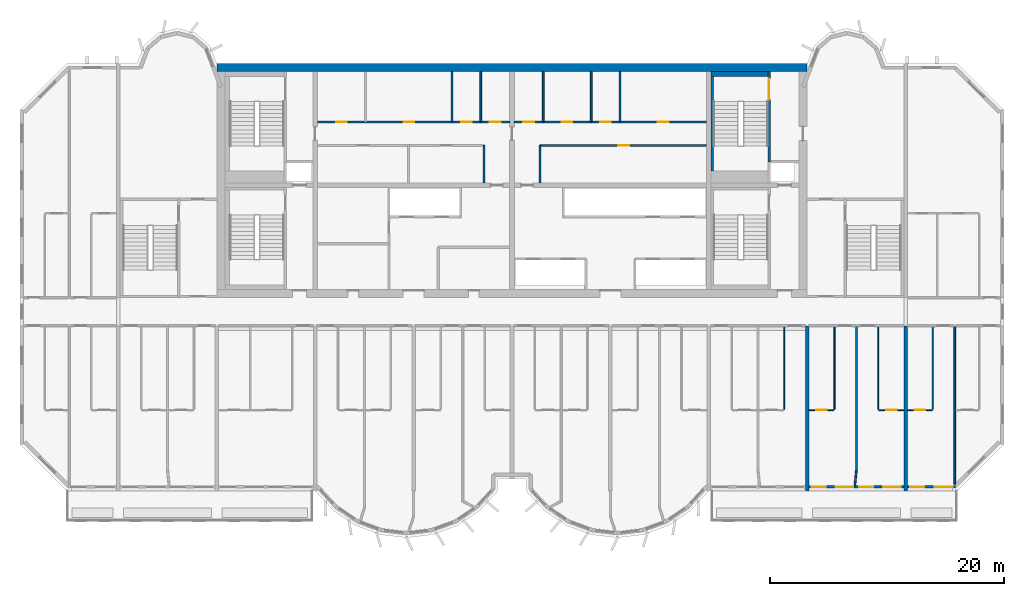
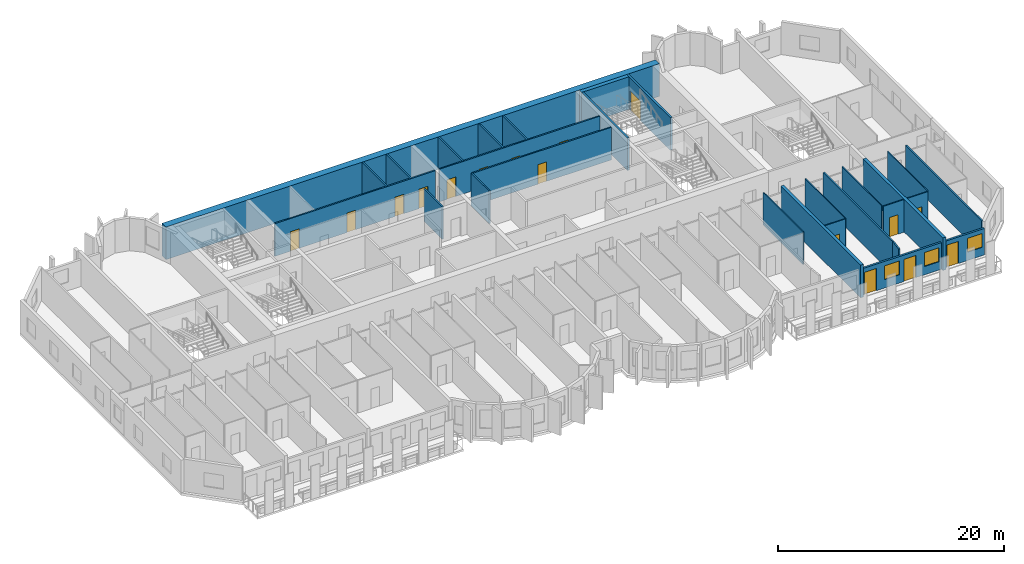
# One storey, part 8 of 13: 28 walls, 16 doors, 3 windows, 19 openings.
"""IFC4 building model written with IfcOpenShell, lengths in metres."""

from ifc_helpers import new_model, si_unit, direction, frame, frame_2d, origin, place, context, subcontext, project, spatial, rectangle, extrude, source, transform, mapped, material, layer, layer_set, type_object, element, fill, save


model = new_model("IFC4")

# Units and contexts
model_context = context("Model", 3, precision=1e-05, world=origin(), true_north=direction((0.0, 1.0)))
body_context = subcontext(model_context, "Body", "Model", "MODEL_VIEW")
ifc_project = project(units=[si_unit("LENGTHUNIT", "METRE"), si_unit("AREAUNIT", "SQUARE_METRE"), si_unit("VOLUMEUNIT", "CUBIC_METRE"), si_unit("PLANEANGLEUNIT", "RADIAN"), si_unit("MASSUNIT", "GRAM", prefix="KILO")], contexts=[model_context])

# Site, building, storey
site_placement = place(None, origin())
site = spatial("IfcSite", under=ifc_project, at=site_placement, CompositionType="ELEMENT")
building_placement = place(site_placement, origin())
building = spatial("IfcBuilding", under=site, at=building_placement, Name="Vanashikhar Sky Hotel", CompositionType="ELEMENT")
storey_placement = place(building_placement, frame((0.0, 0.0, 182.0)))
storey = spatial("IfcBuildingStorey", under=building, at=storey_placement, Name="L44", CompositionType="ELEMENT", Elevation=182.0)

# Walls
ifc_material_1 = material(Name="Concrete M60", Category="concrete")
ifc_layer_1 = layer(ifc_material_1, 0.699951171875)
ifc_layer_set_1 = layer_set([ifc_layer_1], Name="RC core shell wall 700 Concrete M60")
wall_type_1 = type_object("IfcWallType", Name="RC core shell wall 700 Concrete M60", PredefinedType="SHEAR", material=ifc_layer_set_1)
shared_shape_1 = source(origin(), body_context, "Body", "SweptSolid", [
    extrude(rectangle(XDim=50.400146484375, YDim=0.699951171875, at=frame_2d((25.2001953125, 0.0))), origin(), (0.0, 0.0, 1.0), 3.52001953125),
])
wall_1_placement = place(storey_placement, frame((25.199951171875, 41.64990234375, 0.0), z_axis=(0.0, 0.0, 1.0), x_axis=(1.0, 0.0, 0.0)))
element("IfcWall", 1, at=wall_1_placement, inside=storey, type_object=wall_type_1, Name="KW-L44-KN", PredefinedType="SHEAR", context=body_context, shape_type="MappedRepresentation", body=[
    mapped(shared_shape_1, transform((0.0, 0.0, 0.0), scale=1.0)),
])
ifc_layer_2 = layer(ifc_material_1, 0.300048828125)
ifc_layer_set_2 = layer_set([ifc_layer_2], Name="RC shear wall 300 Concrete M60")
wall_type_2 = type_object("IfcWallType", Name="RC shear wall 300 Concrete M60", PredefinedType="SHEAR", material=ifc_layer_set_2)
shared_shape_2 = source(origin(), body_context, "Body", "SweptSolid", [
    extrude(rectangle(XDim=14.10009765625, YDim=0.300048828125, at=frame_2d((7.050048828125, 0.0))), origin(), (0.0, 0.0, 1.0), 3.52001953125),
])
for number, where, z_axis, x_axis, name in (
    (2, (75.60009765625, 5.5, 0.0), (0.0, 0.0, 1.0), (0.0, 1.0, 0.0), "CW-L44-XW10-1"),
    (3, (84.0, 5.5, 0.0), (0.0, 0.0, 1.0), (0.0, 1.0, 0.0), "CW-L44-XW11-1"),
):
    element("IfcWall", number, at=place(storey_placement, frame(where, z_axis=z_axis, x_axis=x_axis)), inside=storey, type_object=wall_type_2, Name=name, PredefinedType="SHEAR", context=body_context, shape_type="MappedRepresentation", body=[
        mapped(shared_shape_2, transform((0.0, 0.0, 0.0), scale=1.0)),
    ])

# Wall, openings, window, door
ifc_material_2 = material(Name="Concrete M50", Category="concrete")
ifc_layer_3 = layer(ifc_material_2, 0.199951171875)
ifc_layer_set_3 = layer_set([ifc_layer_3], Name="Front window wall 200")
wall_type_3 = type_object("IfcWallType", Name="Front window wall 200", PredefinedType="SOLIDWALL", material=ifc_layer_set_3)
shared_shape_3 = source(origin(), body_context, "Body", "SweptSolid", [
    extrude(rectangle(XDim=4.10498046875, YDim=0.199951171875, at=frame_2d((2.052490234375, 0.0))), origin(), (0.0, 0.0, 1.0), 2.8701171875),
])
wall_2_placement = place(storey_placement, frame((84.14990234375, 5.85009765625, 0.0), z_axis=(0.0, 0.0, 1.0), x_axis=(1.0, 0.0, 0.0)))
wall_2 = element("IfcWall", 4, at=wall_2_placement, inside=storey, type_object=wall_type_3, Name="Front window wall", PredefinedType="SOLIDWALL", context=body_context, shape_type="MappedRepresentation", body=[
    mapped(shared_shape_3, transform((0.0, 0.0, 0.0), scale=1.0)),
])
shared_shape_4 = source(origin(), body_context, "Body", "SweptSolid", [
    extrude(rectangle(XDim=1.199951171875, YDim=2.39990234375, at=frame_2d((0.60009765625, 1.199951171875))), frame((0.0, 0.10986328125, 0.0), z_axis=(0.0, -1.0, 0.0), x_axis=(1.0, 0.0, 0.0)), (0.0, 0.0, 1.0), 0.219970703125),
])
opening_1_placement = place(wall_2_placement, frame((0.25, 0.0, 0.0)))
opening_1 = element("IfcOpeningElement", 5, at=opening_1_placement, cuts=wall_2, Name="Opening BD-10", PredefinedType="OPENING", context=body_context, shape_type="MappedRepresentation", body=[
    mapped(shared_shape_4, transform((0.0, 0.0, 0.0), scale=1.0)),
])
shared_shape_5 = source(origin(), body_context, "Body", "SweptSolid", [
    extrude(rectangle(XDim=1.5, YDim=1.5, at=frame_2d((0.75, 0.75))), frame((0.0, 0.10986328125, 0.0), z_axis=(0.0, -1.0, 0.0), x_axis=(1.0, 0.0, 0.0)), (0.0, 0.0, 1.0), 0.219970703125),
])
opening_2_placement = place(wall_2_placement, frame((2.35498046875, 0.0, 0.89990234375)))
opening_2 = element("IfcOpeningElement", 6, at=opening_2_placement, cuts=wall_2, Name="Opening WN-1", PredefinedType="OPENING", context=body_context, shape_type="MappedRepresentation", body=[
    mapped(shared_shape_5, transform((0.0, 0.0, 0.0), scale=1.0)),
])
ifc_material_3 = material(Name="Glass", Category="glass")
window_type = type_object("IfcWindowType", Name="Window 1500 x 1500", PartitioningType="SINGLE_PANEL", PredefinedType="WINDOW", material=ifc_material_3)
shared_shape_6 = source(origin(), body_context, "Body", "SweptSolid", [
    extrude(rectangle(XDim=1.5, YDim=1.5, at=frame_2d((0.75, 0.75))), frame((0.0, 0.030029296875, 0.0), z_axis=(0.0, -1.0, 0.0), x_axis=(1.0, 0.0, 0.0)), (0.0, 0.0, 1.0), 0.06005859375),
])
window_1_placement = place(opening_2_placement, origin())
window_1 = element("IfcWindow", 7, at=window_1_placement, inside=storey, type_object=window_type, Name="Window WN-1", OverallHeight=1.5, OverallWidth=1.5, PartitioningType="SINGLE_PANEL", PredefinedType="WINDOW", context=body_context, shape_type="MappedRepresentation", body=[
    mapped(shared_shape_6, transform((0.0, 0.0, 0.0), scale=1.0)),
])
fill(opening_2, window_1)
ifc_material_4 = material(Name="Aluminium", Category="aluminium")
door_type_1 = type_object("IfcDoorType", Name="Balcony sliding door 1200 x 2400", OperationType="NOTDEFINED", PredefinedType="DOOR", material=ifc_material_4)
shared_shape_7 = source(origin(), body_context, "Body", "SweptSolid", [
    extrude(rectangle(XDim=1.199951171875, YDim=2.39990234375, at=frame_2d((0.60009765625, 1.199951171875))), frame((0.0, 0.02490234375, 0.0), z_axis=(0.0, -1.0, 0.0), x_axis=(1.0, 0.0, 0.0)), (0.0, 0.0, 1.0), 0.050048828125),
])
door_1_placement = place(opening_1_placement, origin())
door_1 = element("IfcDoor", 8, at=door_1_placement, inside=storey, type_object=door_type_1, Name="Balcony sliding door", OperationType="SLIDING_TO_RIGHT", OverallHeight=2.39990234375, OverallWidth=1.199951171875, PredefinedType="DOOR", context=body_context, shape_type="MappedRepresentation", body=[
    mapped(shared_shape_7, transform((0.0, 0.0, 0.0), scale=1.0)),
])
fill(opening_1, door_1)

# Wall, openings, windows, doors
shared_shape_8 = source(origin(), body_context, "Body", "SweptSolid", [
    extrude(rectangle(XDim=8.10009765625, YDim=0.199951171875, at=frame_2d((4.050048828125, 0.0))), origin(), (0.0, 0.0, 1.0), 2.8701171875),
])
wall_3_placement = place(storey_placement, frame((75.75, 5.85009765625, 0.0), z_axis=(0.0, 0.0, 1.0), x_axis=(1.0, 0.0, 0.0)))
wall_3 = element("IfcWall", 9, at=wall_3_placement, inside=storey, type_object=wall_type_3, Name="Front window wall", PredefinedType="SOLIDWALL", context=body_context, shape_type="MappedRepresentation", body=[
    mapped(shared_shape_8, transform((0.0, 0.0, 0.0), scale=1.0)),
])
opening_3_placement = place(wall_3_placement, frame((0.25, 0.0, 0.0)))
opening_3 = element("IfcOpeningElement", 10, at=opening_3_placement, cuts=wall_3, Name="Opening BD-08", PredefinedType="OPENING", context=body_context, shape_type="MappedRepresentation", body=[
    mapped(shared_shape_4, transform((0.0, 0.0, 0.0), scale=1.0)),
])
opening_4_placement = place(wall_3_placement, frame((2.300048828125, 0.0, 0.89990234375)))
opening_4 = element("IfcOpeningElement", 11, at=opening_4_placement, cuts=wall_3, Name="Opening WN-1", PredefinedType="OPENING", context=body_context, shape_type="MappedRepresentation", body=[
    mapped(shared_shape_5, transform((0.0, 0.0, 0.0), scale=1.0)),
])
opening_5_placement = place(wall_3_placement, frame((4.300048828125, 0.0, 0.0)))
opening_5 = element("IfcOpeningElement", 12, at=opening_5_placement, cuts=wall_3, Name="Opening BD-09", PredefinedType="OPENING", context=body_context, shape_type="MappedRepresentation", body=[
    mapped(shared_shape_4, transform((0.0, 0.0, 0.0), scale=1.0)),
])
opening_6_placement = place(wall_3_placement, frame((6.35009765625, 0.0, 0.89990234375)))
opening_6 = element("IfcOpeningElement", 13, at=opening_6_placement, cuts=wall_3, Name="Opening WN-1", PredefinedType="OPENING", context=body_context, shape_type="MappedRepresentation", body=[
    mapped(shared_shape_5, transform((0.0, 0.0, 0.0), scale=1.0)),
])
window_2_placement = place(opening_4_placement, origin())
window_2 = element("IfcWindow", 14, at=window_2_placement, inside=storey, type_object=window_type, Name="Window WN-1", OverallHeight=1.5, OverallWidth=1.5, PartitioningType="SINGLE_PANEL", PredefinedType="WINDOW", context=body_context, shape_type="MappedRepresentation", body=[
    mapped(shared_shape_6, transform((0.0, 0.0, 0.0), scale=1.0)),
])
fill(opening_4, window_2)
window_3_placement = place(opening_6_placement, origin())
window_3 = element("IfcWindow", 15, at=window_3_placement, inside=storey, type_object=window_type, Name="Window WN-1", OverallHeight=1.5, OverallWidth=1.5, PartitioningType="SINGLE_PANEL", PredefinedType="WINDOW", context=body_context, shape_type="MappedRepresentation", body=[
    mapped(shared_shape_6, transform((0.0, 0.0, 0.0), scale=1.0)),
])
fill(opening_6, window_3)
door_2_placement = place(opening_3_placement, origin())
door_2 = element("IfcDoor", 16, at=door_2_placement, inside=storey, type_object=door_type_1, Name="Balcony sliding door", OperationType="SLIDING_TO_RIGHT", OverallHeight=2.39990234375, OverallWidth=1.199951171875, PredefinedType="DOOR", context=body_context, shape_type="MappedRepresentation", body=[
    mapped(shared_shape_7, transform((0.0, 0.0, 0.0), scale=1.0)),
])
fill(opening_3, door_2)
door_3_placement = place(opening_5_placement, origin())
door_3 = element("IfcDoor", 17, at=door_3_placement, inside=storey, type_object=door_type_1, Name="Balcony sliding door", OperationType="SLIDING_TO_LEFT", OverallHeight=2.39990234375, OverallWidth=1.199951171875, PredefinedType="DOOR", context=body_context, shape_type="MappedRepresentation", body=[
    mapped(shared_shape_7, transform((0.0, 0.0, 0.0), scale=1.0)),
])
fill(opening_5, door_3)

# Walls
ifc_layer_4 = layer(ifc_material_2, 0.199951171875)
ifc_layer_set_4 = layer_set([ifc_layer_4], Name="Stair infill wall 200")
wall_type_4 = type_object("IfcWallType", Name="Stair infill wall 200", PredefinedType="SOLIDWALL", material=ifc_layer_set_4)
shared_shape_9 = source(origin(), body_context, "Body", "SweptSolid", [
    extrude(rectangle(XDim=8.099853515625, YDim=0.199951171875, at=frame_2d((4.0498046875, 0.0))), origin(), (0.0, 0.0, 1.0), 3.52001953125),
])
wall_4_placement = place(storey_placement, frame((67.5, 32.800048828125, 0.0), z_axis=(0.0, 0.0, 1.0), x_axis=(0.0, 1.0, 0.0)))
element("IfcWall", 18, at=wall_4_placement, inside=storey, type_object=wall_type_4, Name="Stair infill wall 200", PredefinedType="SOLIDWALL", context=body_context, shape_type="MappedRepresentation", body=[
    mapped(shared_shape_9, transform((0.0, 0.0, 0.0), scale=1.0)),
])
ifc_material_5 = material(Name="Gypsum board partition")
ifc_layer_5 = layer(ifc_material_5, 0.14990234375)
ifc_layer_set_5 = layer_set([ifc_layer_5], Name="Service partition 150")
wall_type_5 = type_object("IfcWallType", Name="Service partition 150", PredefinedType="PARTITIONING", material=ifc_layer_set_5)
shared_shape_10 = source(origin(), body_context, "Body", "SweptSolid", [
    extrude(rectangle(XDim=3.199951171875, YDim=0.14990234375, at=frame_2d((1.60009765625, 0.0))), origin(), (0.0, 0.0, 1.0), 3.52001953125),
])
for number, where, z_axis, x_axis, name in (
    (19, (48.0, 31.800048828125, 0.0), (0.0, 0.0, 1.0), (0.0, 1.0, 0.0), "Service partition 150"),
    (20, (52.800048828125, 31.800048828125, 0.0), (0.0, 0.0, 1.0), (0.0, 1.0, 0.0), "Service partition 150"),
):
    element("IfcWall", number, at=place(storey_placement, frame(where, z_axis=z_axis, x_axis=x_axis)), inside=storey, type_object=wall_type_5, Name=name, PredefinedType="PARTITIONING", context=body_context, shape_type="MappedRepresentation", body=[
        mapped(shared_shape_10, transform((0.0, 0.0, 0.0), scale=1.0)),
    ])

# Wall, opening, door
shared_shape_11 = source(origin(), body_context, "Body", "SweptSolid", [
    extrude(rectangle(XDim=14.199951171875, YDim=0.14990234375, at=frame_2d((7.10009765625, 0.0))), origin(), (0.0, 0.0, 1.0), 3.52001953125),
])
wall_5_placement = place(storey_placement, frame((67.0, 35.0, 0.0), z_axis=(0.0, 0.0, 1.0), x_axis=(-1.0, 0.0, 0.0)))
wall_5 = element("IfcWall", 21, at=wall_5_placement, inside=storey, type_object=wall_type_5, Name="Service partition 150", PredefinedType="PARTITIONING", context=body_context, shape_type="MappedRepresentation", body=[
    mapped(shared_shape_11, transform((0.0, 0.0, 0.0), scale=1.0)),
])
shared_shape_12 = source(origin(), body_context, "Body", "SweptSolid", [
    extrude(rectangle(XDim=0.89990234375, YDim=2.10009765625, at=frame_2d((0.449951171875, 1.050048828125))), frame((0.0, 0.0849609375, 0.0), z_axis=(0.0, -1.0, 0.0), x_axis=(1.0, 0.0, 0.0)), (0.0, 0.0, 1.0), 0.169921875),
])
opening_7_placement = place(wall_5_placement, frame((6.612060546875, 0.0, 0.0)))
opening_7 = element("IfcOpeningElement", 22, at=opening_7_placement, cuts=wall_5, Name="Opening DC-4-A", PredefinedType="OPENING", context=body_context, shape_type="MappedRepresentation", body=[
    mapped(shared_shape_12, transform((0.0, 0.0, 0.0), scale=1.0)),
])
ifc_material_6 = material(Name="Steel", Category="steel")
door_type_2 = type_object("IfcDoorType", Name="Service door 900 FD60", OperationType="NOTDEFINED", PredefinedType="DOOR", material=ifc_material_6)
shared_shape_13 = source(origin(), body_context, "Body", "SweptSolid", [
    extrude(rectangle(XDim=0.89990234375, YDim=2.10009765625, at=frame_2d((0.449951171875, 1.050048828125))), frame((0.0, 0.02490234375, 0.0), z_axis=(0.0, -1.0, 0.0), x_axis=(1.0, 0.0, 0.0)), (0.0, 0.0, 1.0), 0.050048828125),
])
door_4_placement = place(opening_7_placement, origin())
door_4 = element("IfcDoor", 23, at=door_4_placement, inside=storey, type_object=door_type_2, Name="Service door 900 FD60", OperationType="SINGLE_SWING_LEFT", OverallHeight=2.10009765625, OverallWidth=0.89990234375, PredefinedType="DOOR", context=body_context, shape_type="MappedRepresentation", body=[
    mapped(shared_shape_13, transform((0.0, 0.0, 0.0), scale=1.0)),
])
fill(opening_7, door_4)

# Wall, openings, doors
shared_shape_14 = source(origin(), body_context, "Body", "SweptSolid", [
    extrude(rectangle(XDim=16.39990234375, YDim=0.14990234375, at=frame_2d((8.199951171875, 0.0))), origin(), (0.0, 0.0, 1.0), 3.52001953125),
])
wall_6_placement = place(storey_placement, frame((33.800048828125, 37.0, 0.0), z_axis=(0.0, 0.0, 1.0), x_axis=(1.0, 0.0, 0.0)))
wall_6 = element("IfcWall", 24, at=wall_6_placement, inside=storey, type_object=wall_type_5, Name="Service partition 150", PredefinedType="PARTITIONING", context=body_context, shape_type="MappedRepresentation", body=[
    mapped(shared_shape_14, transform((0.0, 0.0, 0.0), scale=1.0)),
])
opening_8_placement = place(wall_6_placement, frame((1.60009765625, 0.0, 0.0)))
opening_8 = element("IfcOpeningElement", 25, at=opening_8_placement, cuts=wall_6, Name="Opening DC-4-A", PredefinedType="OPENING", context=body_context, shape_type="MappedRepresentation", body=[
    mapped(shared_shape_12, transform((0.0, 0.0, 0.0), scale=1.0)),
])
opening_9_placement = place(wall_6_placement, frame((7.340087890625, 0.0, 0.0)))
opening_9 = element("IfcOpeningElement", 26, at=opening_9_placement, cuts=wall_6, Name="Opening DC-4-A", PredefinedType="OPENING", context=body_context, shape_type="MappedRepresentation", body=[
    mapped(shared_shape_12, transform((0.0, 0.0, 0.0), scale=1.0)),
])
opening_10_placement = place(wall_6_placement, frame((12.260009765625, 0.0, 0.0)))
opening_10 = element("IfcOpeningElement", 27, at=opening_10_placement, cuts=wall_6, Name="Opening DC-4-A", PredefinedType="OPENING", context=body_context, shape_type="MappedRepresentation", body=[
    mapped(shared_shape_12, transform((0.0, 0.0, 0.0), scale=1.0)),
])
opening_11_placement = place(wall_6_placement, frame((14.719970703125, 0.0, 0.0)))
opening_11 = element("IfcOpeningElement", 28, at=opening_11_placement, cuts=wall_6, Name="Opening DC-4-A", PredefinedType="OPENING", context=body_context, shape_type="MappedRepresentation", body=[
    mapped(shared_shape_12, transform((0.0, 0.0, 0.0), scale=1.0)),
])
door_5_placement = place(opening_8_placement, origin())
door_5 = element("IfcDoor", 29, at=door_5_placement, inside=storey, type_object=door_type_2, Name="Service door 900 FD60", OperationType="SINGLE_SWING_RIGHT", OverallHeight=2.10009765625, OverallWidth=0.89990234375, PredefinedType="DOOR", context=body_context, shape_type="MappedRepresentation", body=[
    mapped(shared_shape_13, transform((0.0, 0.0, 0.0), scale=1.0)),
])
fill(opening_8, door_5)
door_6_placement = place(opening_9_placement, origin())
door_6 = element("IfcDoor", 30, at=door_6_placement, inside=storey, type_object=door_type_2, Name="Service door 900 FD60", OperationType="SINGLE_SWING_LEFT", OverallHeight=2.10009765625, OverallWidth=0.89990234375, PredefinedType="DOOR", context=body_context, shape_type="MappedRepresentation", body=[
    mapped(shared_shape_13, transform((0.0, 0.0, 0.0), scale=1.0)),
])
fill(opening_9, door_6)
door_7_placement = place(opening_10_placement, origin())
door_7 = element("IfcDoor", 31, at=door_7_placement, inside=storey, type_object=door_type_2, Name="Service door 900 FD60", OperationType="SINGLE_SWING_LEFT", OverallHeight=2.10009765625, OverallWidth=0.89990234375, PredefinedType="DOOR", context=body_context, shape_type="MappedRepresentation", body=[
    mapped(shared_shape_13, transform((0.0, 0.0, 0.0), scale=1.0)),
])
fill(opening_10, door_7)
door_8_placement = place(opening_11_placement, origin())
door_8 = element("IfcDoor", 32, at=door_8_placement, inside=storey, type_object=door_type_2, Name="Service door 900 FD60", OperationType="SINGLE_SWING_LEFT", OverallHeight=2.10009765625, OverallWidth=0.89990234375, PredefinedType="DOOR", context=body_context, shape_type="MappedRepresentation", body=[
    mapped(shared_shape_13, transform((0.0, 0.0, 0.0), scale=1.0)),
])
fill(opening_11, door_8)

wall_7_placement = place(storey_placement, frame((67.0, 37.0, 0.0), z_axis=(0.0, 0.0, 1.0), x_axis=(-1.0, 0.0, 0.0)))
wall_7 = element("IfcWall", 33, at=wall_7_placement, inside=storey, type_object=wall_type_5, Name="Service partition 150", PredefinedType="PARTITIONING", context=body_context, shape_type="MappedRepresentation", body=[
    mapped(shared_shape_14, transform((0.0, 0.0, 0.0), scale=1.0)),
])
opening_12_placement = place(wall_7_placement, frame((3.239990234375, 0.0, 0.0)))
opening_12 = element("IfcOpeningElement", 34, at=opening_12_placement, cuts=wall_7, Name="Opening DC-4-A", PredefinedType="OPENING", context=body_context, shape_type="MappedRepresentation", body=[
    mapped(shared_shape_12, transform((0.0, 0.0, 0.0), scale=1.0)),
])
opening_13_placement = place(wall_7_placement, frame((8.159912109375, 0.0, 0.0)))
opening_13 = element("IfcOpeningElement", 35, at=opening_13_placement, cuts=wall_7, Name="Opening DC-4-A", PredefinedType="OPENING", context=body_context, shape_type="MappedRepresentation", body=[
    mapped(shared_shape_12, transform((0.0, 0.0, 0.0), scale=1.0)),
])
opening_14_placement = place(wall_7_placement, frame((11.43994140625, 0.0, 0.0)))
opening_14 = element("IfcOpeningElement", 36, at=opening_14_placement, cuts=wall_7, Name="Opening DC-4-A", PredefinedType="OPENING", context=body_context, shape_type="MappedRepresentation", body=[
    mapped(shared_shape_12, transform((0.0, 0.0, 0.0), scale=1.0)),
])
opening_15_placement = place(wall_7_placement, frame((14.719970703125, 0.0, 0.0)))
opening_15 = element("IfcOpeningElement", 37, at=opening_15_placement, cuts=wall_7, Name="Opening DC-4-A", PredefinedType="OPENING", context=body_context, shape_type="MappedRepresentation", body=[
    mapped(shared_shape_12, transform((0.0, 0.0, 0.0), scale=1.0)),
])
door_9_placement = place(opening_12_placement, origin())
door_9 = element("IfcDoor", 38, at=door_9_placement, inside=storey, type_object=door_type_2, Name="Service door 900 FD60", OperationType="SINGLE_SWING_RIGHT", OverallHeight=2.10009765625, OverallWidth=0.89990234375, PredefinedType="DOOR", context=body_context, shape_type="MappedRepresentation", body=[
    mapped(shared_shape_13, transform((0.0, 0.0, 0.0), scale=1.0)),
])
fill(opening_12, door_9)
door_10_placement = place(opening_13_placement, origin())
door_10 = element("IfcDoor", 39, at=door_10_placement, inside=storey, type_object=door_type_2, Name="Service door 900 FD60", OperationType="SINGLE_SWING_RIGHT", OverallHeight=2.10009765625, OverallWidth=0.89990234375, PredefinedType="DOOR", context=body_context, shape_type="MappedRepresentation", body=[
    mapped(shared_shape_13, transform((0.0, 0.0, 0.0), scale=1.0)),
])
fill(opening_13, door_10)
door_11_placement = place(opening_14_placement, origin())
door_11 = element("IfcDoor", 40, at=door_11_placement, inside=storey, type_object=door_type_2, Name="Service door 900 FD60", OperationType="SINGLE_SWING_RIGHT", OverallHeight=2.10009765625, OverallWidth=0.89990234375, PredefinedType="DOOR", context=body_context, shape_type="MappedRepresentation", body=[
    mapped(shared_shape_13, transform((0.0, 0.0, 0.0), scale=1.0)),
])
fill(opening_14, door_11)
door_12_placement = place(opening_15_placement, origin())
door_12 = element("IfcDoor", 41, at=door_12_placement, inside=storey, type_object=door_type_2, Name="Service door 900 FD60", OperationType="SINGLE_SWING_RIGHT", OverallHeight=2.10009765625, OverallWidth=0.89990234375, PredefinedType="DOOR", context=body_context, shape_type="MappedRepresentation", body=[
    mapped(shared_shape_13, transform((0.0, 0.0, 0.0), scale=1.0)),
])
fill(opening_15, door_12)

# Walls
shared_shape_15 = source(origin(), body_context, "Body", "SweptSolid", [
    extrude(rectangle(XDim=4.300048828125, YDim=0.14990234375, at=frame_2d((2.14990234375, 0.0))), origin(), (0.0, 0.0, 1.0), 3.52001953125),
])
for number, where, z_axis, x_axis, name in (
    (42, (45.280029296875, 37.0, 0.0), (0.0, 0.0, 1.0), (0.0, 1.0, 0.0), "Service partition 150"),
    (43, (47.739990234375, 37.0, 0.0), (0.0, 0.0, 1.0), (0.0, 1.0, 0.0), "Service partition 150"),
    (44, (59.6201171875, 37.0, 0.0), (0.0, 0.0, 1.0), (0.0, 1.0, 0.0), "Service partition 150"),
    (45, (57.159912109375, 37.0, 0.0), (0.0, 0.0, 1.0), (0.0, 1.0, 0.0), "Service partition 150"),
    (46, (53.06005859375, 37.0, 0.0), (0.0, 0.0, 1.0), (0.0, 1.0, 0.0), "Service partition 150"),
):
    element("IfcWall", number, at=place(storey_placement, frame(where, z_axis=z_axis, x_axis=x_axis)), inside=storey, type_object=wall_type_5, Name=name, PredefinedType="PARTITIONING", context=body_context, shape_type="MappedRepresentation", body=[
        mapped(shared_shape_15, transform((0.0, 0.0, 0.0), scale=1.0)),
    ])

# Wall, opening, door
ifc_layer_6 = layer(ifc_material_2, 0.199951171875)
ifc_layer_set_6 = layer_set([ifc_layer_6], Name="Stair wall 200")
wall_type_6 = type_object("IfcWallType", Name="Stair wall 200", PredefinedType="SOLIDWALL", material=ifc_layer_set_6)
shared_shape_16 = source(origin(), body_context, "Body", "SweptSolid", [
    extrude(rectangle(XDim=7.699951171875, YDim=0.199951171875, at=frame_2d((3.85009765625, 0.0))), origin(), (0.0, 0.0, 1.0), 3.52001953125),
])
wall_8_placement = place(storey_placement, frame((72.35009765625, 33.60009765625, 0.0), z_axis=(0.0, 0.0, 1.0), x_axis=(0.0, 1.0, 0.0)))
wall_8 = element("IfcWall", 47, at=wall_8_placement, inside=storey, type_object=wall_type_6, Name="Stair wall 200", PredefinedType="SOLIDWALL", context=body_context, shape_type="MappedRepresentation", body=[
    mapped(shared_shape_16, transform((0.0, 0.0, 0.0), scale=1.0)),
])
shared_shape_17 = source(origin(), body_context, "Body", "SweptSolid", [
    extrude(rectangle(XDim=1.800048828125, YDim=2.10009765625, at=frame_2d((0.89990234375, 1.050048828125))), frame((0.0, 0.10986328125, 0.0), z_axis=(0.0, -1.0, 0.0), x_axis=(1.0, 0.0, 0.0)), (0.0, 0.0, 1.0), 0.219970703125),
])
opening_16_placement = place(wall_8_placement, frame((5.300048828125, 0.0, 0.0)))
opening_16 = element("IfcOpeningElement", 48, at=opening_16_placement, cuts=wall_8, Name="Opening DC-1-A", PredefinedType="OPENING", context=body_context, shape_type="MappedRepresentation", body=[
    mapped(shared_shape_17, transform((0.0, 0.0, 0.0), scale=1.0)),
])
door_type_3 = type_object("IfcDoorType", Name="Stair door 1800 FD120", OperationType="NOTDEFINED", PredefinedType="DOOR", material=ifc_material_6)
shared_shape_18 = source(origin(), body_context, "Body", "SweptSolid", [
    extrude(rectangle(XDim=1.800048828125, YDim=2.10009765625, at=frame_2d((0.89990234375, 1.050048828125))), frame((0.0, 0.02490234375, 0.0), z_axis=(0.0, -1.0, 0.0), x_axis=(1.0, 0.0, 0.0)), (0.0, 0.0, 1.0), 0.050048828125),
])
door_13_placement = place(opening_16_placement, origin())
door_13 = element("IfcDoor", 49, at=door_13_placement, inside=storey, type_object=door_type_3, Name="Stair door 1800 FD120", OperationType="SINGLE_SWING_RIGHT", OverallHeight=2.10009765625, OverallWidth=1.800048828125, PredefinedType="DOOR", context=body_context, shape_type="MappedRepresentation", body=[
    mapped(shared_shape_18, transform((0.0, 0.0, 0.0), scale=1.0)),
])
fill(opening_16, door_13)

# Walls
ifc_layer_7 = layer(ifc_material_2, 0.39990234375)
ifc_layer_set_7 = layer_set([ifc_layer_7], Name="Stair infill wall 400")
wall_type_7 = type_object("IfcWallType", Name="Stair infill wall 400", PredefinedType="SOLIDWALL", material=ifc_layer_set_7)
shared_shape_19 = source(origin(), body_context, "Body", "SweptSolid", [
    extrude(rectangle(XDim=4.85009765625, YDim=0.39990234375, at=frame_2d((2.425048828125, 0.0))), origin(), (0.0, 0.0, 1.0), 3.52001953125),
])
wall_9_placement = place(storey_placement, frame((67.39990234375, 41.10009765625, 0.0), z_axis=(0.0, 0.0, 1.0), x_axis=(1.0, 0.0, 0.0)))
element("IfcWall", 50, at=wall_9_placement, inside=storey, type_object=wall_type_7, Name="Stair infill wall 400", PredefinedType="SOLIDWALL", context=body_context, shape_type="MappedRepresentation", body=[
    mapped(shared_shape_19, transform((0.0, 0.0, 0.0), scale=1.0)),
])
ifc_material_7 = material(Name="Gypsum plasterboard partition")
ifc_layer_8 = layer(ifc_material_7, 0.10009765625)
ifc_layer_set_8 = layer_set([ifc_layer_8], Name="Wet room partition 100")
wall_type_8 = type_object("IfcWallType", Name="Wet room partition 100", PredefinedType="PARTITIONING", material=ifc_layer_set_8)
shared_shape_20 = source(origin(), body_context, "Body", "SweptSolid", [
    extrude(rectangle(XDim=7.0498046875, YDim=0.10009765625, at=frame_2d((3.52490234375, 0.0))), origin(), (0.0, 0.0, 1.0), 3.52001953125),
])
for number, where, z_axis, x_axis, name in (
    (51, (73.64990234375, 12.47509765625, 0.0), (0.0, 0.0, 1.0), (0.0, 1.0, 0.0), "W-L44-PW051"),
    (52, (77.925048828125, 12.47509765625, 0.0), (0.0, 0.0, 1.0), (0.0, 1.0, 0.0), "W-L44-PW055"),
    (53, (81.675048828125, 12.47509765625, 0.0), (0.0, 0.0, 1.0), (0.0, 1.0, 0.0), "W-L44-PW058"),
    (54, (86.324951171875, 12.47509765625, 0.0), (0.0, 0.0, 1.0), (0.0, 1.0, 0.0), "W-L44-PW062"),
):
    element("IfcWall", number, at=place(storey_placement, frame(where, z_axis=z_axis, x_axis=x_axis)), inside=storey, type_object=wall_type_8, Name=name, PredefinedType="PARTITIONING", context=body_context, shape_type="MappedRepresentation", body=[
        mapped(shared_shape_20, transform((0.0, 0.0, 0.0), scale=1.0)),
    ])
ifc_layer_9 = layer(ifc_material_7, 0.14990234375)
ifc_layer_set_9 = layer_set([ifc_layer_9], Name="Corridor and demising partition 150")
wall_type_9 = type_object("IfcWallType", Name="Corridor and demising partition 150", PredefinedType="PARTITIONING", material=ifc_layer_set_9)
shared_shape_21 = source(origin(), body_context, "Body", "SweptSolid", [
    extrude(rectangle(XDim=13.447021484375, YDim=0.14990234375, at=frame_2d((6.7236328125, 0.0))), origin(), (0.0, 0.0, 1.0), 3.52001953125),
])
wall_10_placement = place(storey_placement, frame((88.199951171875, 6.077880859375, 0.0), z_axis=(0.0, 0.0, 1.0), x_axis=(0.0, 1.0, 0.0)))
element("IfcWall", 55, at=wall_10_placement, inside=storey, type_object=wall_type_9, Name="W-L44-PW068", PredefinedType="PARTITIONING", context=body_context, shape_type="MappedRepresentation", body=[
    mapped(shared_shape_21, transform((0.0, 0.0, 0.0), scale=1.0)),
])
shared_shape_22 = source(origin(), body_context, "Body", "SweptSolid", [
    extrude(rectangle(XDim=12.27490234375, YDim=0.14990234375, at=frame_2d((6.137451171875, 0.0))), origin(), (0.0, 0.0, 1.0), 3.52001953125),
])
wall_11_placement = place(storey_placement, frame((79.800048828125, 7.25, 0.0), z_axis=(0.0, 0.0, 1.0), x_axis=(0.0, 1.0, 0.0)))
element("IfcWall", 56, at=wall_11_placement, inside=storey, type_object=wall_type_9, Name="W-L44-PW061", PredefinedType="PARTITIONING", context=body_context, shape_type="MappedRepresentation", body=[
    mapped(shared_shape_22, transform((0.0, 0.0, 0.0), scale=1.0)),
])
shared_shape_23 = source(origin(), body_context, "Body", "SweptSolid", [
    extrude(rectangle(XDim=1.306640625, YDim=0.14990234375, at=frame_2d((0.6533203125, 0.0))), origin(), (0.0, 0.0, 1.0), 3.52001953125),
])
wall_12_placement = place(storey_placement, frame((79.669921875, 5.949951171875, 0.0), z_axis=(0.0, 0.0, 1.0), x_axis=(0.099596223396, 0.99502793543, 0.0)))
element("IfcWall", 57, at=wall_12_placement, inside=storey, type_object=wall_type_9, Name="W-L44-PW061B0", PredefinedType="PARTITIONING", context=body_context, shape_type="MappedRepresentation", body=[
    mapped(shared_shape_23, transform((0.0, 0.0, 0.0), scale=1.0)),
])

# Wall, opening, door
shared_shape_24 = source(origin(), body_context, "Body", "SweptSolid", [
    extrude(rectangle(XDim=2.125, YDim=0.10009765625, at=frame_2d((1.0625, 0.0))), origin(), (0.0, 0.0, 1.0), 3.52001953125),
])
wall_13_placement = place(storey_placement, frame((75.75, 12.39990234375, 0.0), z_axis=(0.0, 0.0, 1.0), x_axis=(1.0, 0.0, 0.0)))
wall_13 = element("IfcWall", 58, at=wall_13_placement, inside=storey, type_object=wall_type_8, Name="W-L44-PW056", PredefinedType="PARTITIONING", context=body_context, shape_type="MappedRepresentation", body=[
    mapped(shared_shape_24, transform((0.0, 0.0, 0.0), scale=1.0)),
])
shared_shape_25 = source(origin(), body_context, "Body", "SweptSolid", [
    extrude(rectangle(XDim=0.89990234375, YDim=2.10009765625, at=frame_2d((0.449951171875, 1.050048828125))), frame((0.0, 0.06005859375, 0.0), z_axis=(0.0, -1.0, 0.0), x_axis=(1.0, 0.0, 0.0)), (0.0, 0.0, 1.0), 0.1201171875),
])
opening_17_placement = place(wall_13_placement, frame((0.612060546875, 0.0, 0.0)))
opening_17 = element("IfcOpeningElement", 59, at=opening_17_placement, cuts=wall_13, Name="Opening D-02", PredefinedType="OPENING", context=body_context, shape_type="MappedRepresentation", body=[
    mapped(shared_shape_25, transform((0.0, 0.0, 0.0), scale=1.0)),
])
ifc_material_8 = material(Name="Timber door", Category="wood")
door_type_4 = type_object("IfcDoorType", Name="Internal door 900", OperationType="NOTDEFINED", PredefinedType="DOOR", material=ifc_material_8)
door_14_placement = place(opening_17_placement, origin())
door_14 = element("IfcDoor", 60, at=door_14_placement, inside=storey, type_object=door_type_4, Name="D-L44-032", OperationType="SINGLE_SWING_RIGHT", OverallHeight=2.10009765625, OverallWidth=0.89990234375, PredefinedType="DOOR", context=body_context, shape_type="MappedRepresentation", body=[
    mapped(shared_shape_13, transform((0.0, 0.0, 0.0), scale=1.0)),
])
fill(opening_17, door_14)

wall_14_placement = place(storey_placement, frame((81.72509765625, 12.39990234375, 0.0), z_axis=(0.0, 0.0, 1.0), x_axis=(1.0, 0.0, 0.0)))
wall_14 = element("IfcWall", 61, at=wall_14_placement, inside=storey, type_object=wall_type_8, Name="W-L44-PW059", PredefinedType="PARTITIONING", context=body_context, shape_type="MappedRepresentation", body=[
    mapped(shared_shape_24, transform((0.0, 0.0, 0.0), scale=1.0)),
])
opening_18_placement = place(wall_14_placement, frame((0.612060546875, 0.0, 0.0)))
opening_18 = element("IfcOpeningElement", 62, at=opening_18_placement, cuts=wall_14, Name="Opening D-02", PredefinedType="OPENING", context=body_context, shape_type="MappedRepresentation", body=[
    mapped(shared_shape_25, transform((0.0, 0.0, 0.0), scale=1.0)),
])
door_15_placement = place(opening_18_placement, origin())
door_15 = element("IfcDoor", 63, at=door_15_placement, inside=storey, type_object=door_type_4, Name="D-L44-034", OperationType="SINGLE_SWING_LEFT", OverallHeight=2.10009765625, OverallWidth=0.89990234375, PredefinedType="DOOR", context=body_context, shape_type="MappedRepresentation", body=[
    mapped(shared_shape_13, transform((0.0, 0.0, 0.0), scale=1.0)),
])
fill(opening_18, door_15)

wall_15_placement = place(storey_placement, frame((84.14990234375, 12.39990234375, 0.0), z_axis=(0.0, 0.0, 1.0), x_axis=(1.0, 0.0, 0.0)))
wall_15 = element("IfcWall", 64, at=wall_15_placement, inside=storey, type_object=wall_type_8, Name="W-L44-PW063", PredefinedType="PARTITIONING", context=body_context, shape_type="MappedRepresentation", body=[
    mapped(shared_shape_24, transform((0.0, 0.0, 0.0), scale=1.0)),
])
opening_19_placement = place(wall_15_placement, frame((0.612060546875, 0.0, 0.0)))
opening_19 = element("IfcOpeningElement", 65, at=opening_19_placement, cuts=wall_15, Name="Opening D-02", PredefinedType="OPENING", context=body_context, shape_type="MappedRepresentation", body=[
    mapped(shared_shape_25, transform((0.0, 0.0, 0.0), scale=1.0)),
])
door_16_placement = place(opening_19_placement, origin())
door_16 = element("IfcDoor", 66, at=door_16_placement, inside=storey, type_object=door_type_4, Name="D-L44-036", OperationType="SINGLE_SWING_RIGHT", OverallHeight=2.10009765625, OverallWidth=0.89990234375, PredefinedType="DOOR", context=body_context, shape_type="MappedRepresentation", body=[
    mapped(shared_shape_13, transform((0.0, 0.0, 0.0), scale=1.0)),
])
fill(opening_19, door_16)

save(model, "model.ifc")
